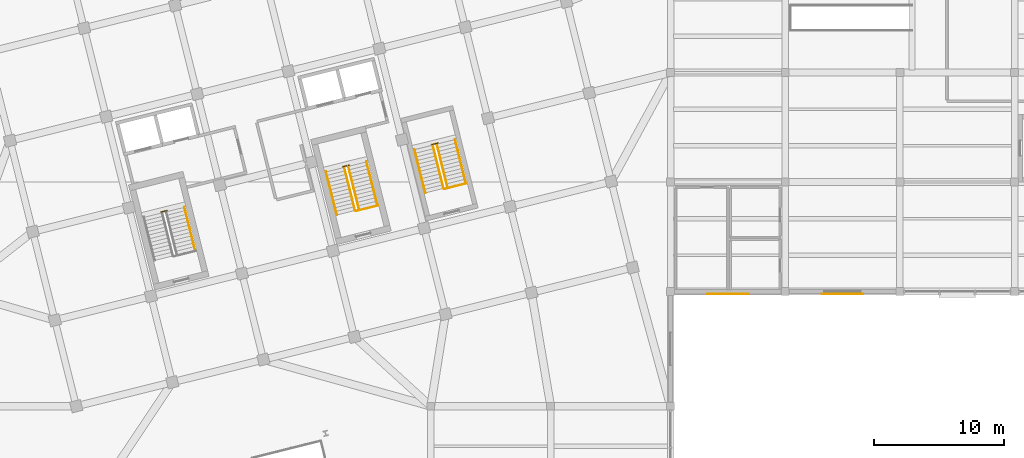
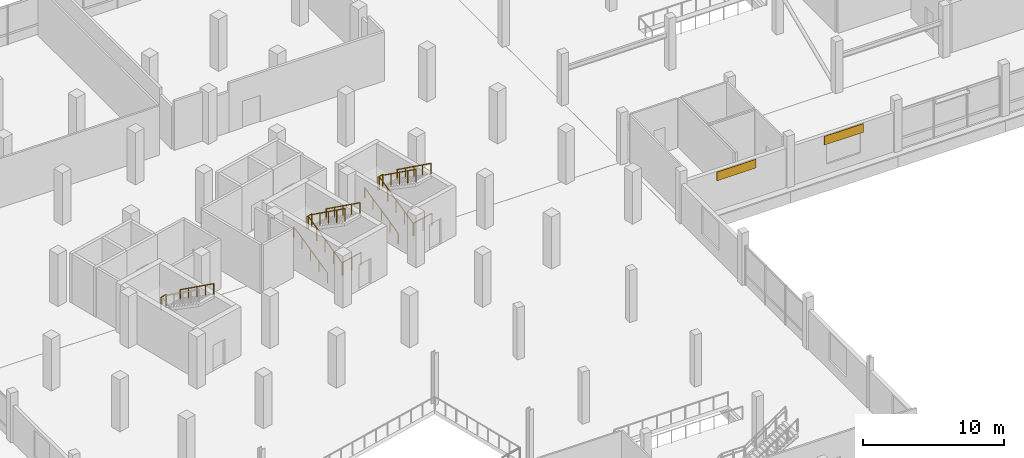
# One storey, part 75 of 77: 14 railings, 2 coverings.
"""IFC4 building model written with IfcOpenShell, lengths in metres."""

from ifc_helpers import new_model, si_unit, direction, frame, origin, origin_2d, place, context, subcontext, project, spatial, rectangle, circle, extrude, material, layer, layer_set, type_object, element, save


model = new_model("IFC4")

# Units and contexts
model_context = context("Model", 3, precision=1e-05, world=origin(), true_north=direction((0.0, 1.0)))
body_context = subcontext(model_context, "Body", "Model", "MODEL_VIEW")
ifc_project = project(units=[si_unit("LENGTHUNIT", "METRE"), si_unit("AREAUNIT", "SQUARE_METRE"), si_unit("VOLUMEUNIT", "CUBIC_METRE"), si_unit("PLANEANGLEUNIT", "RADIAN"), si_unit("MASSUNIT", "GRAM", prefix="KILO")], contexts=[model_context])

# Site, building, storey
site_placement = place(None, origin())
site = spatial("IfcSite", under=ifc_project, at=site_placement, CompositionType="ELEMENT")
building_placement = place(site_placement, origin())
building = spatial("IfcBuilding", under=site, at=building_placement, Name="Meriwether Solvik Hall", CompositionType="ELEMENT")
storey_placement = place(building_placement, frame((0.0, 0.0, 9.89990234375)))
storey = spatial("IfcBuildingStorey", under=building, at=storey_placement, Name="L02", CompositionType="ELEMENT", Elevation=9.89990234375)

# Coverings
ifc_material_1 = material(Name="Glazed Extruded Terracotta Ceramic", Category="masonry")
ifc_layer_1 = layer(ifc_material_1, 0.044921875)
ifc_layer_set_1 = layer_set([ifc_layer_1], Name="Glazed Extruded Terracotta Ceramic")
covering_type = type_object("IfcCoveringType", Name="COV-CLAD-TERRA", PredefinedType="CLADDING", material=ifc_layer_set_1)
for number, where, z_axis, x_axis, name in (
    (1, (118.60009765625, 49.8125, 2.59521484375), (0.0, 0.0, 1.0), (-1.0, 0.0, 0.0), "L02 Facade Cladding XF_13_6"),
    (2, (127.39990234375, 49.824951171875, 2.59521484375), (0.0, 0.0, 1.0), (-1.0, 0.0, 0.0), "L02 Facade Cladding XF_14_7"),
):
    element("IfcCovering", number, at=place(storey_placement, frame(where, z_axis=z_axis, x_axis=x_axis)), inside=storey, type_object=covering_type, Name=name, PredefinedType="CLADDING", context=body_context, shape_type="SweptSolid", body=[
        extrude(rectangle(XDim=3.199951171875, YDim=0.044921875, at=origin_2d()), origin(), (0.0, 0.0, 1.0), 0.75),
    ])

# Railings
ifc_material_2 = material(Name="Steel A36 Galvanised", Category="steel")
ifc_layer_2 = layer(ifc_material_2, 0.054931640625)
ifc_layer_set_2 = layer_set([ifc_layer_2], Name="Steel A36 Galvanised")
railing_type_1 = type_object("IfcRailingType", Name="RAIL-STR-GUARD", PredefinedType="GUARDRAIL", material=ifc_layer_set_2)
for number, where, name in (
    (3, (75.090087890625, 56.092529296875, 2.25), "Stair ST-01 Landing Guardrail (L02)"),
    (4, (89.062255859375, 59.576171875, 2.25), "Stair ST-02 Landing Guardrail (L02)"),
):
    element("IfcRailing", number, at=place(storey_placement, frame(where)), inside=storey, type_object=railing_type_1, Name=name, PredefinedType="GUARDRAIL", context=body_context, shape_type="SweptSolid", body=[
        extrude(circle(Radius=0.02392578125, at=origin_2d()), frame((0.0, 0.0, 1.09619140625), z_axis=(0.970343250308, 0.241731207299, 0.0), x_axis=(-0.241731207299, 0.970343250308, 0.0)), (0.0, 0.0, 1.0), 0.5),
        extrude(circle(Radius=0.02099609375, at=origin_2d()), origin(), (0.0, 0.0, 1.0), 1.072021484375),
        extrude(circle(Radius=0.02099609375, at=origin_2d()), frame((0.485107421875, 0.120849609375, 0.0)), (0.0, 0.0, 1.0), 1.072021484375),
    ])
railing_1_placement = place(storey_placement, frame((90.064208984375, 56.177490234375, 0.0)))
element("IfcRailing", 5, at=railing_1_placement, inside=storey, type_object=railing_type_1, Name="Stair ST-02 Well Guardrail (L02)", PredefinedType="GUARDRAIL", context=body_context, shape_type="SweptSolid", body=[
    extrude(circle(Radius=0.02392578125, at=origin_2d()), frame((0.0, 0.0, 1.09619140625), z_axis=(0.970298223594, 0.241911879182, 0.0), x_axis=(-0.241911879182, 0.970298223594, 0.0)), (0.0, 0.0, 1.0), 1.75),
    extrude(circle(Radius=0.02099609375, at=origin_2d()), origin(), (0.0, 0.0, 1.0), 1.072021484375),
    extrude(circle(Radius=0.02099609375, at=origin_2d()), frame((0.84912109375, 0.211669921875, 0.0)), (0.0, 0.0, 1.0), 1.072021484375),
    extrude(circle(Radius=0.02099609375, at=origin_2d()), frame((1.697998046875, 0.42333984375, 0.0)), (0.0, 0.0, 1.0), 1.072021484375),
])
railing_2_placement = place(storey_placement, frame((89.991455078125, 56.22119140625, 0.0)))
element("IfcRailing", 6, at=railing_2_placement, inside=storey, type_object=railing_type_1, Name="Stair ST-02 Flight 1 Inner Guardrail (L02)", PredefinedType="GUARDRAIL", context=body_context, shape_type="SweptSolid", body=[
    extrude(circle(Radius=0.02392578125, at=origin_2d()), frame((0.0, 0.0, 1.09619140625), z_axis=(-0.202112380038, 0.810596479635, 0.549621627157), x_axis=(-0.970293484379, -0.241930887181, 0.0)), (0.0, 0.0, 1.0), 4.09375),
    extrude(circle(Radius=0.02099609375, at=origin_2d()), origin(), (0.0, 0.0, 1.0), 1.072021484375),
    extrude(circle(Radius=0.02099609375, at=origin_2d()), frame((-0.206787109375, 0.82958984375, 0.5625)), (0.0, 0.0, 1.0), 1.072021484375),
    extrude(circle(Radius=0.02099609375, at=origin_2d()), frame((-0.41357421875, 1.6591796875, 1.125)), (0.0, 0.0, 1.0), 1.072021484375),
    extrude(circle(Radius=0.02099609375, at=origin_2d()), frame((-0.62060546875, 2.48876953125, 1.6875)), (0.0, 0.0, 1.0), 1.072021484375),
    extrude(circle(Radius=0.02099609375, at=origin_2d()), frame((-0.827392578125, 3.318359375, 2.25)), (0.0, 0.0, 1.0), 1.072021484375),
])
railing_3_placement = place(storey_placement, frame((89.474609375, 59.6171875, 2.25)))
element("IfcRailing", 7, at=railing_3_placement, inside=storey, type_object=railing_type_1, Name="Stair ST-02 Flight 2 Inner Guardrail (L02)", PredefinedType="GUARDRAIL", context=body_context, shape_type="SweptSolid", body=[
    extrude(circle(Radius=0.02392578125, at=origin_2d()), frame((0.0, 0.0, 1.09619140625), z_axis=(0.202102609838, -0.81061692993, 0.549595058209), x_axis=(0.970297662271, 0.241914130614, 0.0)), (0.0, 0.0, 1.0), 4.093994140625),
    extrude(circle(Radius=0.02099609375, at=origin_2d()), origin(), (0.0, 0.0, 1.0), 1.072021484375),
    extrude(circle(Radius=0.02099609375, at=origin_2d()), frame((0.206787109375, -0.82958984375, 0.5625)), (0.0, 0.0, 1.0), 1.072021484375),
    extrude(circle(Radius=0.02099609375, at=origin_2d()), frame((0.41357421875, -1.6591796875, 1.125)), (0.0, 0.0, 1.0), 1.072021484375),
    extrude(circle(Radius=0.02099609375, at=origin_2d()), frame((0.62060546875, -2.489013671875, 1.6875)), (0.0, 0.0, 1.0), 1.072021484375),
    extrude(circle(Radius=0.02099609375, at=origin_2d()), frame((0.827392578125, -3.318603515625, 2.25)), (0.0, 0.0, 1.0), 1.072021484375),
])
railing_4_placement = place(storey_placement, frame((95.854248046875, 61.26953125, 2.25)))
element("IfcRailing", 8, at=railing_4_placement, inside=storey, type_object=railing_type_1, Name="Stair ST-03 Landing Guardrail (L02)", PredefinedType="GUARDRAIL", context=body_context, shape_type="SweptSolid", body=[
    extrude(circle(Radius=0.02392578125, at=origin_2d()), frame((0.0, 0.0, 1.09619140625), z_axis=(0.970228607419, 0.242190935722, 0.0), x_axis=(-0.242190935722, 0.970228607419, 0.0)), (0.0, 0.0, 1.0), 0.5),
    extrude(circle(Radius=0.02099609375, at=origin_2d()), origin(), (0.0, 0.0, 1.0), 1.072021484375),
    extrude(circle(Radius=0.02099609375, at=origin_2d()), frame((0.485107421875, 0.12109375, 0.0)), (0.0, 0.0, 1.0), 1.072021484375),
])
railing_5_placement = place(storey_placement, frame((96.856201171875, 57.87109375, 0.0)))
element("IfcRailing", 9, at=railing_5_placement, inside=storey, type_object=railing_type_1, Name="Stair ST-03 Well Guardrail (L02)", PredefinedType="GUARDRAIL", context=body_context, shape_type="SweptSolid", body=[
    extrude(circle(Radius=0.02392578125, at=origin_2d()), frame((0.0, 0.0, 1.09619140625), z_axis=(0.970298223594, 0.241911879182, 0.0), x_axis=(-0.241911879182, 0.970298223594, 0.0)), (0.0, 0.0, 1.0), 1.75),
    extrude(circle(Radius=0.02099609375, at=origin_2d()), origin(), (0.0, 0.0, 1.0), 1.072021484375),
    extrude(circle(Radius=0.02099609375, at=origin_2d()), frame((0.84912109375, 0.211669921875, 0.0)), (0.0, 0.0, 1.0), 1.072021484375),
    extrude(circle(Radius=0.02099609375, at=origin_2d()), frame((1.697998046875, 0.42333984375, 0.0)), (0.0, 0.0, 1.0), 1.072021484375),
])
railing_6_placement = place(storey_placement, frame((96.783447265625, 57.914794921875, 0.0)))
element("IfcRailing", 10, at=railing_6_placement, inside=storey, type_object=railing_type_1, Name="Stair ST-03 Flight 1 Inner Guardrail (L02)", PredefinedType="GUARDRAIL", context=body_context, shape_type="SweptSolid", body=[
    extrude(circle(Radius=0.02392578125, at=origin_2d()), frame((0.0, 0.0, 1.09619140625), z_axis=(-0.202112380038, 0.810596479635, 0.549621627157), x_axis=(-0.970293484379, -0.241930887181, 0.0)), (0.0, 0.0, 1.0), 4.09375),
    extrude(circle(Radius=0.02099609375, at=origin_2d()), origin(), (0.0, 0.0, 1.0), 1.072021484375),
    extrude(circle(Radius=0.02099609375, at=origin_2d()), frame((-0.206787109375, 0.82958984375, 0.5625)), (0.0, 0.0, 1.0), 1.072021484375),
    extrude(circle(Radius=0.02099609375, at=origin_2d()), frame((-0.41357421875, 1.6591796875, 1.125)), (0.0, 0.0, 1.0), 1.072021484375),
    extrude(circle(Radius=0.02099609375, at=origin_2d()), frame((-0.62060546875, 2.48876953125, 1.6875)), (0.0, 0.0, 1.0), 1.072021484375),
    extrude(circle(Radius=0.02099609375, at=origin_2d()), frame((-0.827392578125, 3.318359375, 2.25)), (0.0, 0.0, 1.0), 1.072021484375),
])
railing_7_placement = place(storey_placement, frame((96.2666015625, 61.310546875, 2.25)))
element("IfcRailing", 11, at=railing_7_placement, inside=storey, type_object=railing_type_1, Name="Stair ST-03 Flight 2 Inner Guardrail (L02)", PredefinedType="GUARDRAIL", context=body_context, shape_type="SweptSolid", body=[
    extrude(circle(Radius=0.02392578125, at=origin_2d()), frame((0.0, 0.0, 1.09619140625), z_axis=(0.202112380038, -0.810596479635, 0.549621627157), x_axis=(0.970293484379, 0.241930887181, 0.0)), (0.0, 0.0, 1.0), 4.09375),
    extrude(circle(Radius=0.02099609375, at=origin_2d()), origin(), (0.0, 0.0, 1.0), 1.072021484375),
    extrude(circle(Radius=0.02099609375, at=origin_2d()), frame((0.206787109375, -0.82958984375, 0.5625)), (0.0, 0.0, 1.0), 1.072021484375),
    extrude(circle(Radius=0.02099609375, at=origin_2d()), frame((0.41357421875, -1.6591796875, 1.125)), (0.0, 0.0, 1.0), 1.072021484375),
    extrude(circle(Radius=0.02099609375, at=origin_2d()), frame((0.62060546875, -2.48876953125, 1.6875)), (0.0, 0.0, 1.0), 1.072021484375),
    extrude(circle(Radius=0.02099609375, at=origin_2d()), frame((0.827392578125, -3.318359375, 2.25)), (0.0, 0.0, 1.0), 1.072021484375),
])
ifc_material_3 = material(Name="Stainless Steel AISI 316", Category="steel")
ifc_layer_3 = layer(ifc_material_3, 0.044921875)
ifc_layer_set_3 = layer_set([ifc_layer_3], Name="Stainless Steel AISI 316")
railing_type_2 = type_object("IfcRailingType", Name="RAIL-STR-HAND", PredefinedType="HANDRAIL", material=ifc_layer_set_3)
railing_8_placement = place(storey_placement, frame((76.8994140625, 56.481689453125, 2.25)))
element("IfcRailing", 12, at=railing_8_placement, inside=storey, type_object=railing_type_2, Name="Stair ST-01 Upper Handrail (L02)", PredefinedType="HANDRAIL", context=body_context, shape_type="SweptSolid", body=[
    extrude(circle(Radius=0.02392578125, at=origin_2d()), frame((0.0, 0.0, 0.89599609375), z_axis=(0.202108480303, -0.810577045011, 0.549651722722), x_axis=(0.970293218539, 0.241931953359, 0.0)), (0.0, 0.0, 1.0), 4.10107421875),
    extrude(circle(Radius=0.02099609375, at=origin_2d()), origin(), (0.0, 0.0, 1.0), 0.871826171875),
    extrude(circle(Radius=0.02099609375, at=origin_2d()), frame((0.207275390625, -0.8310546875, 0.5634765625)), (0.0, 0.0, 1.0), 0.871826171875),
    extrude(circle(Radius=0.02099609375, at=origin_2d()), frame((0.41455078125, -1.662109375, 1.126953125)), (0.0, 0.0, 1.0), 0.871826171875),
    extrude(circle(Radius=0.02099609375, at=origin_2d()), frame((0.62158203125, -2.4931640625, 1.690673828125)), (0.0, 0.0, 1.0), 0.871826171875),
    extrude(circle(Radius=0.02099609375, at=origin_2d()), frame((0.828857421875, -3.32421875, 2.254150390625)), (0.0, 0.0, 1.0), 0.871826171875),
])
railing_9_placement = place(storey_placement, frame((88.59423828125, 55.872802734375, 0.0)))
element("IfcRailing", 13, at=railing_9_placement, inside=storey, type_object=railing_type_2, Name="Stair ST-02 Lower Handrail (L02)", PredefinedType="HANDRAIL", context=body_context, shape_type="SweptSolid", body=[
    extrude(circle(Radius=0.02392578125, at=origin_2d()), frame((0.0, 0.0, 0.89599609375), z_axis=(-0.202108480303, 0.810577045011, 0.549651722722), x_axis=(-0.970293218539, -0.241931953359, 0.0)), (0.0, 0.0, 1.0), 4.10107421875),
    extrude(circle(Radius=0.02099609375, at=origin_2d()), origin(), (0.0, 0.0, 1.0), 0.871826171875),
    extrude(circle(Radius=0.02099609375, at=origin_2d()), frame((-0.207275390625, 0.8310546875, 0.5634765625)), (0.0, 0.0, 1.0), 0.871826171875),
    extrude(circle(Radius=0.02099609375, at=origin_2d()), frame((-0.41455078125, 1.662109375, 1.126953125)), (0.0, 0.0, 1.0), 0.871826171875),
    extrude(circle(Radius=0.02099609375, at=origin_2d()), frame((-0.62158203125, 2.4931640625, 1.690673828125)), (0.0, 0.0, 1.0), 0.871826171875),
    extrude(circle(Radius=0.02099609375, at=origin_2d()), frame((-0.828857421875, 3.32421875, 2.254150390625)), (0.0, 0.0, 1.0), 0.871826171875),
])
railing_10_placement = place(storey_placement, frame((90.871826171875, 59.96533203125, 2.25)))
element("IfcRailing", 14, at=railing_10_placement, inside=storey, type_object=railing_type_2, Name="Stair ST-02 Upper Handrail (L02)", PredefinedType="HANDRAIL", context=body_context, shape_type="SweptSolid", body=[
    extrude(circle(Radius=0.02392578125, at=origin_2d()), frame((0.0, 0.0, 0.89599609375), z_axis=(0.202108480303, -0.810577045011, 0.549651722722), x_axis=(0.970293218539, 0.241931953359, 0.0)), (0.0, 0.0, 1.0), 4.10107421875),
    extrude(circle(Radius=0.02099609375, at=origin_2d()), origin(), (0.0, 0.0, 1.0), 0.871826171875),
    extrude(circle(Radius=0.02099609375, at=origin_2d()), frame((0.207275390625, -0.8310546875, 0.5634765625)), (0.0, 0.0, 1.0), 0.871826171875),
    extrude(circle(Radius=0.02099609375, at=origin_2d()), frame((0.41455078125, -1.662109375, 1.126953125)), (0.0, 0.0, 1.0), 0.871826171875),
    extrude(circle(Radius=0.02099609375, at=origin_2d()), frame((0.62158203125, -2.4931640625, 1.690673828125)), (0.0, 0.0, 1.0), 0.871826171875),
    extrude(circle(Radius=0.02099609375, at=origin_2d()), frame((0.828857421875, -3.32421875, 2.254150390625)), (0.0, 0.0, 1.0), 0.871826171875),
])
railing_11_placement = place(storey_placement, frame((95.38623046875, 57.56640625, 0.0)))
element("IfcRailing", 15, at=railing_11_placement, inside=storey, type_object=railing_type_2, Name="Stair ST-03 Lower Handrail (L02)", PredefinedType="HANDRAIL", context=body_context, shape_type="SweptSolid", body=[
    extrude(circle(Radius=0.02392578125, at=origin_2d()), frame((0.0, 0.0, 0.89599609375), z_axis=(-0.202108480303, 0.810577045011, 0.549651722722), x_axis=(-0.970293218539, -0.241931953359, 0.0)), (0.0, 0.0, 1.0), 4.10107421875),
    extrude(circle(Radius=0.02099609375, at=origin_2d()), origin(), (0.0, 0.0, 1.0), 0.871826171875),
    extrude(circle(Radius=0.02099609375, at=origin_2d()), frame((-0.207275390625, 0.8310546875, 0.5634765625)), (0.0, 0.0, 1.0), 0.871826171875),
    extrude(circle(Radius=0.02099609375, at=origin_2d()), frame((-0.41455078125, 1.662109375, 1.126953125)), (0.0, 0.0, 1.0), 0.871826171875),
    extrude(circle(Radius=0.02099609375, at=origin_2d()), frame((-0.62158203125, 2.4931640625, 1.690673828125)), (0.0, 0.0, 1.0), 0.871826171875),
    extrude(circle(Radius=0.02099609375, at=origin_2d()), frame((-0.828857421875, 3.32421875, 2.254150390625)), (0.0, 0.0, 1.0), 0.871826171875),
])
railing_12_placement = place(storey_placement, frame((97.663818359375, 61.658935546875, 2.25)))
element("IfcRailing", 16, at=railing_12_placement, inside=storey, type_object=railing_type_2, Name="Stair ST-03 Upper Handrail (L02)", PredefinedType="HANDRAIL", context=body_context, shape_type="SweptSolid", body=[
    extrude(circle(Radius=0.02392578125, at=origin_2d()), frame((0.0, 0.0, 0.89599609375), z_axis=(0.202108480303, -0.810577045011, 0.549651722722), x_axis=(0.970293218539, 0.241931953359, 0.0)), (0.0, 0.0, 1.0), 4.10107421875),
    extrude(circle(Radius=0.02099609375, at=origin_2d()), origin(), (0.0, 0.0, 1.0), 0.871826171875),
    extrude(circle(Radius=0.02099609375, at=origin_2d()), frame((0.207275390625, -0.8310546875, 0.5634765625)), (0.0, 0.0, 1.0), 0.871826171875),
    extrude(circle(Radius=0.02099609375, at=origin_2d()), frame((0.41455078125, -1.662109375, 1.126953125)), (0.0, 0.0, 1.0), 0.871826171875),
    extrude(circle(Radius=0.02099609375, at=origin_2d()), frame((0.62158203125, -2.4931640625, 1.690673828125)), (0.0, 0.0, 1.0), 0.871826171875),
    extrude(circle(Radius=0.02099609375, at=origin_2d()), frame((0.828857421875, -3.32421875, 2.254150390625)), (0.0, 0.0, 1.0), 0.871826171875),
])

save(model, "model.ifc")
